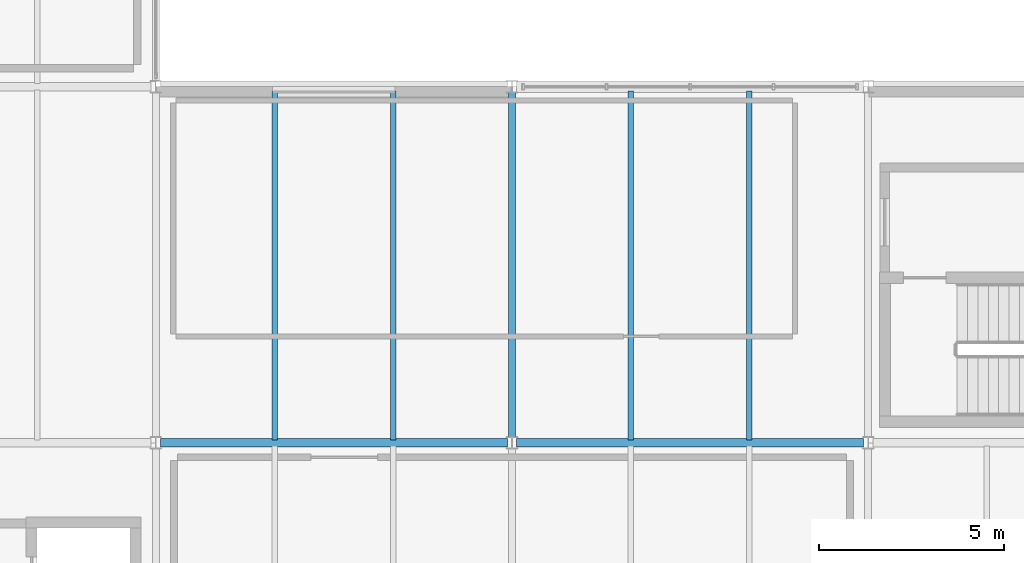
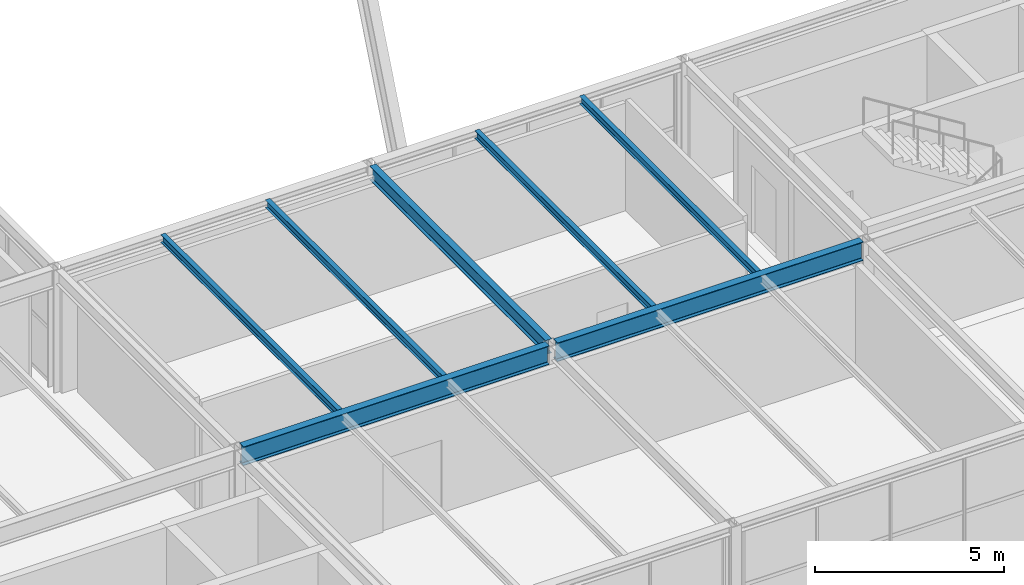
# One storey, part 26 of 126: 7 beams.
"""IFC4 building model written with IfcOpenShell, lengths in metres."""

from ifc_helpers import new_model, si_unit, direction, frame, origin, origin_2d, place, context, subcontext, project, spatial, i_section, extrude, material, material_profile, profile_set, type_object, element, save


model = new_model("IFC4")

# Units and contexts
model_context = context("Model", 3, precision=1e-05, world=origin(), true_north=direction((0.0, 1.0)))
body_context = subcontext(model_context, "Body", "Model", "MODEL_VIEW")
ifc_project = project(units=[si_unit("LENGTHUNIT", "METRE"), si_unit("AREAUNIT", "SQUARE_METRE"), si_unit("VOLUMEUNIT", "CUBIC_METRE"), si_unit("PLANEANGLEUNIT", "RADIAN"), si_unit("MASSUNIT", "GRAM", prefix="KILO")], contexts=[model_context])

# Site, building, storey
site_placement = place(None, origin())
site = spatial("IfcSite", under=ifc_project, at=site_placement, CompositionType="ELEMENT")
building_placement = place(site_placement, origin())
building = spatial("IfcBuilding", under=site, at=building_placement, Name="Coralgate Yard Interchange", CompositionType="ELEMENT")
storey_placement = place(building_placement, frame((0.0, 0.0, 10.5)))
storey = spatial("IfcBuildingStorey", under=building, at=storey_placement, Name="L02", CompositionType="ELEMENT", Elevation=10.5)

# Beams
ifc_material = material(Name="Structural steel S355J2", Category="steel")
ifc_material_profile_1 = material_profile(ifc_material, i_section(OverallWidth=0.1904296875, OverallDepth=0.45703125, WebThickness=0.009033203125, FlangeThickness=0.014404296875, FilletRadius=0.01025390625, at=origin_2d()), Name="UB 457x191x74")
ifc_profile_set_1 = profile_set([ifc_material_profile_1], Name="Structural steel S355J2")
beam_type_1 = type_object("IfcBeamType", Name="BM-SB-2", PredefinedType="BEAM", material=ifc_profile_set_1)
beam_1_placement = place(storey_placement, frame((38.39990234375, 9.739990234375, 3.721435546875), z_axis=(0.0, 1.0, 0.0), x_axis=(-1.0, 0.0, 0.0)))
element("IfcBeam", 1, at=beam_1_placement, inside=storey, type_object=beam_type_1, Name="L02 primary grid girder X4 Y1-2", PredefinedType="BEAM", context=body_context, shape_type="SweptSolid", body=[
    extrude(i_section(OverallWidth=0.1904296875, OverallDepth=0.45703125, WebThickness=0.009033203125, FlangeThickness=0.014404296875, FilletRadius=0.01025390625, at=origin_2d()), origin(), (0.0, 0.0, 1.0), 9.320068359375),
])
ifc_material_profile_2 = material_profile(ifc_material, i_section(OverallWidth=0.228271484375, OverallDepth=0.607666015625, WebThickness=0.010986328125, FlangeThickness=0.017333984375, FilletRadius=0.0126953125, at=origin_2d()), Name="UB 610x229x113")
ifc_profile_set_2 = profile_set([ifc_material_profile_2], Name="Structural steel S355J2")
beam_type_2 = type_object("IfcBeamType", Name="BM-SG-5", PredefinedType="BEAM", material=ifc_profile_set_2)
beam_2_placement = place(storey_placement, frame((28.92724609375, 9.60009765625, 3.646240234375), z_axis=(1.0, 0.0, 0.0), x_axis=(0.0, 1.0, 0.0)))
element("IfcBeam", 2, at=beam_2_placement, inside=storey, type_object=beam_type_2, Name="L02 primary grid beam Y1 X3-4", PredefinedType="BEAM", context=body_context, shape_type="SweptSolid", body=[
    extrude(i_section(OverallWidth=0.228271484375, OverallDepth=0.607666015625, WebThickness=0.010986328125, FlangeThickness=0.017333984375, FilletRadius=0.0126953125, at=origin_2d()), origin(), (0.0, 0.0, 1.0), 9.345458984375),
])
beam_3_placement = place(storey_placement, frame((38.527099609375, 9.60009765625, 3.646240234375), z_axis=(1.0, 0.0, 0.0), x_axis=(0.0, 1.0, 0.0)))
element("IfcBeam", 3, at=beam_3_placement, inside=storey, type_object=beam_type_2, Name="L02 primary grid beam Y1 X4-5", PredefinedType="BEAM", context=body_context, shape_type="SweptSolid", body=[
    extrude(i_section(OverallWidth=0.228271484375, OverallDepth=0.607666015625, WebThickness=0.010986328125, FlangeThickness=0.017333984375, FilletRadius=0.0126953125, at=origin_2d()), origin(), (0.0, 0.0, 1.0), 9.345703125),
])
ifc_material_profile_3 = material_profile(ifc_material, i_section(OverallWidth=0.14599609375, OverallDepth=0.25146484375, WebThickness=0.006103515625, FlangeThickness=0.008544921875, FilletRadius=0.007568359375, at=origin_2d()), Name="UB 254x146x31")
ifc_profile_set_3 = profile_set([ifc_material_profile_3], Name="Structural steel S355J2")
beam_type_3 = type_object("IfcBeamType", Name="BM-SJ-2", PredefinedType="JOIST", material=ifc_profile_set_3)
for number, where, z_axis, x_axis, name in (
    (4, (32.0, 9.68408203125, 3.82421875), (0.0, 1.0, 0.0), (-1.0, 0.0, 0.0), "L02 composite floor joist 3-1-1"),
    (5, (35.199951171875, 9.68408203125, 3.82421875), (0.0, 1.0, 0.0), (-1.0, 0.0, 0.0), "L02 composite floor joist 3-1-2"),
    (6, (41.60009765625, 9.68408203125, 3.82421875), (0.0, 1.0, 0.0), (-1.0, 0.0, 0.0), "L02 composite floor joist 4-1-1"),
    (7, (44.800048828125, 9.68408203125, 3.82421875), (0.0, 1.0, 0.0), (-1.0, 0.0, 0.0), "L02 composite floor joist 4-1-2"),
):
    element("IfcBeam", number, at=place(storey_placement, frame(where, z_axis=z_axis, x_axis=x_axis)), inside=storey, type_object=beam_type_3, Name=name, PredefinedType="JOIST", context=body_context, shape_type="SweptSolid", body=[
        extrude(i_section(OverallWidth=0.14599609375, OverallDepth=0.25146484375, WebThickness=0.006103515625, FlangeThickness=0.008544921875, FilletRadius=0.007568359375, at=origin_2d()), origin(), (0.0, 0.0, 1.0), 9.39599609375),
    ])

save(model, "model.ifc")
